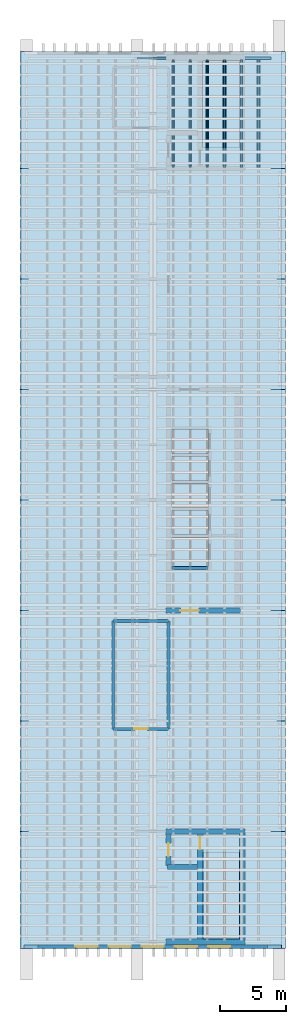
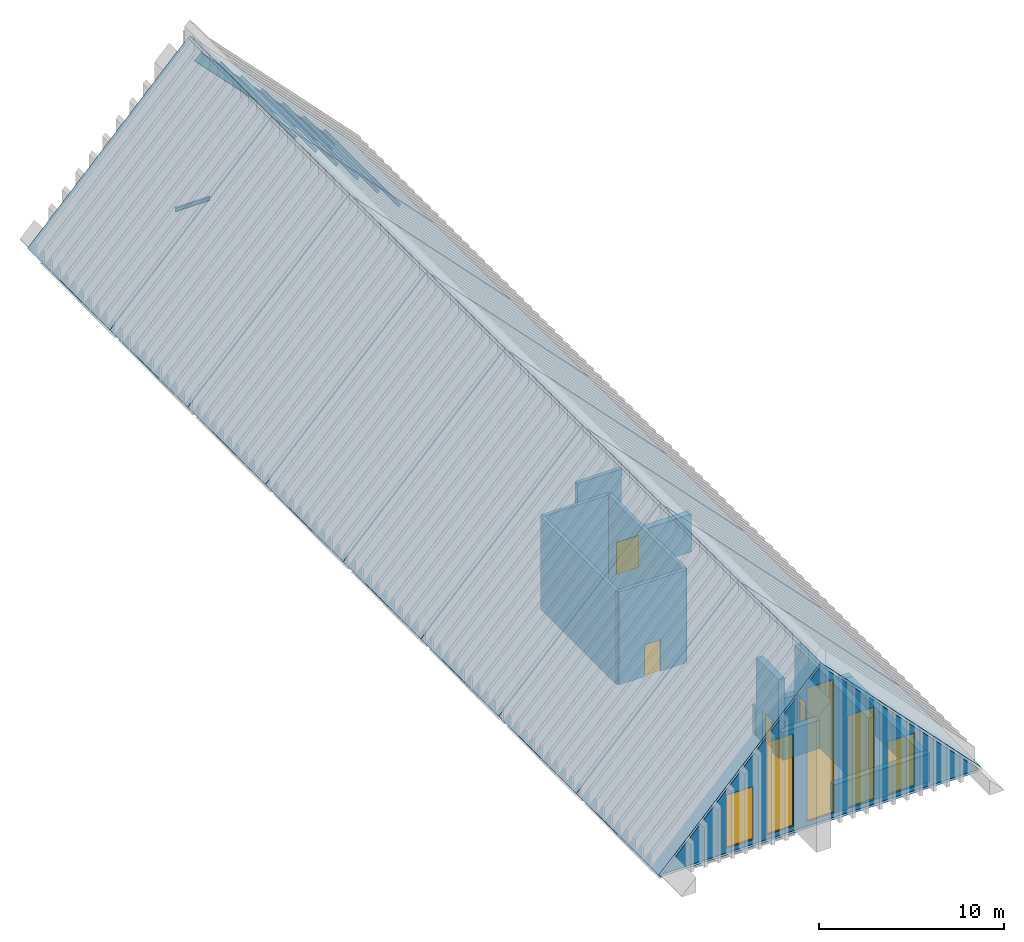
# One storey, part 3 of 6: 17 slabs, 13 walls, 7 members, 5 windows, 4 doors, 1 beam, 9 openings.
"""IFC4 building model written with IfcOpenShell, lengths in metres."""

from ifc_helpers import new_model, si_unit, direction, frame, frame_2d, origin, origin_2d, place, context, subcontext, project, spatial, polyline, rectangle, i_section, outline, extrude, material, layer, layer_set, material_profile, profile_set, type_object, element, fill, save


model = new_model("IFC4")

# Units and contexts
model_context = context("Model", 3, precision=1e-05, world=origin(), true_north=direction((0.0, 1.0)))
body_context = subcontext(model_context, "Body", "Model", "MODEL_VIEW")
ifc_project = project(units=[si_unit("LENGTHUNIT", "METRE"), si_unit("AREAUNIT", "SQUARE_METRE"), si_unit("VOLUMEUNIT", "CUBIC_METRE"), si_unit("PLANEANGLEUNIT", "RADIAN"), si_unit("MASSUNIT", "GRAM", prefix="KILO")], contexts=[model_context])

# Site, building, storey
site_placement = place(None, origin())
site = spatial("IfcSite", under=ifc_project, at=site_placement, CompositionType="ELEMENT")
building_placement = place(site_placement, origin())
building = spatial("IfcBuilding", under=site, at=building_placement, Name="Cresset Court Congress Hotel", CompositionType="ELEMENT")
storey_placement = place(building_placement, frame((0.0, 0.0, 64.800048828125)))
storey = spatial("IfcBuildingStorey", under=building, at=storey_placement, Name="L15", CompositionType="ELEMENT", Elevation=64.800048828125)

# Members
ifc_material_1 = material(Name="Structural steel Q355B", Category="steel")
ifc_material_profile_1 = material_profile(ifc_material_1, i_section(OverallWidth=0.10009765625, OverallDepth=0.199951171875, WebThickness=0.005615234375, FlangeThickness=0.008056640625, FilletRadius=0.012939453125, at=origin_2d()), Name="HN200x100x5.5x8")
ifc_profile_set_1 = profile_set([ifc_material_profile_1], Name="Structural steel Q355B")
member_type_1 = type_object("IfcMemberType", Name="Roof purlin HN200x100x5.5x8", PredefinedType="PURLIN", material=ifc_profile_set_1)
for number, where, z_axis, x_axis, name in (
    (1, (168.348388671875, 58.89990234375, 8.529541015625), (0.0, 1.0, 0.0), (-0.693245874601, 0.0, 0.720701156756), "A.pur.L15.E.0.7"),
    (2, (169.6455078125, 58.89990234375, 7.18115234375), (0.0, 1.0, 0.0), (-0.693245874601, 0.0, 0.720701156756), "A.pur.L15.E.1.7"),
    (3, (170.9423828125, 58.89990234375, 5.832763671875), (0.0, 1.0, 0.0), (-0.693245874601, 0.0, 0.720701156756), "A.pur.L15.E.2.7"),
    (4, (172.239501953125, 58.89990234375, 4.484375), (0.0, 1.0, 0.0), (-0.693245874601, 0.0, 0.720701156756), "A.pur.L15.E.3.7"),
    (5, (173.536376953125, 58.89990234375, 3.13623046875), (0.0, 1.0, 0.0), (-0.693245874601, 0.0, 0.720701156756), "A.pur.L15.E.4.7"),
    (6, (174.83349609375, 58.89990234375, 1.787841796875), (0.0, 1.0, 0.0), (-0.693245874601, 0.0, 0.720701156756), "A.pur.L15.E.5.7"),
):
    element("IfcMember", number, at=place(storey_placement, frame(where, z_axis=z_axis, x_axis=x_axis)), inside=storey, type_object=member_type_1, Name=name, PredefinedType="PURLIN", context=body_context, shape_type="SweptSolid", body=[
        extrude(i_section(OverallWidth=0.10009765625, OverallDepth=0.199951171875, WebThickness=0.005615234375, FlangeThickness=0.008056640625, FilletRadius=0.012939453125, at=origin_2d()), origin(), (0.0, 0.0, 1.0), 8.2001953125),
    ])
ifc_material_2 = material(Name="Structural steel Q355B", Category="steel")
ifc_material_profile_2 = material_profile(ifc_material_2, i_section(OverallWidth=0.199951171875, OverallDepth=0.60009765625, WebThickness=0.010986328125, FlangeThickness=0.01708984375, FilletRadius=0.012939453125, at=origin_2d()), Name="HN600x200x11x17")
ifc_profile_set_2 = profile_set([ifc_material_profile_2], Name="Structural steel Q355B")
member_type_2 = type_object("IfcMemberType", Name="Roof rafter HN600x200x11x17", PredefinedType="RAFTER", material=ifc_profile_set_2)
member_placement = place(storey_placement, frame((175.581787109375, 67.199951171875, 0.4326171875), z_axis=(-0.693240987451, 0.0, 0.720705857696), x_axis=(0.0, -1.0, 0.0)))
element("IfcMember", 7, at=member_placement, inside=storey, type_object=member_type_2, Name="Rafter E9", PredefinedType="RAFTER", context=body_context, shape_type="SweptSolid", body=[
    extrude(i_section(OverallWidth=0.199951171875, OverallDepth=0.60009765625, WebThickness=0.010986328125, FlangeThickness=0.01708984375, FilletRadius=0.012939453125, at=origin_2d()), origin(), (0.0, 0.0, 1.0), 12.35595703125),
])

# Beam
ifc_material_3 = material(Name="Structural steel Q355B", Category="steel")
ifc_material_profile_3 = material_profile(ifc_material_3, i_section(OverallWidth=0.125, OverallDepth=0.25, WebThickness=0.006103515625, FlangeThickness=0.009033203125, FilletRadius=0.012939453125, at=origin_2d()), Name="HN250x125x6x9")
ifc_profile_set_3 = profile_set([ifc_material_profile_3], Name="Structural steel Q355B")
beam_type = type_object("IfcBeamType", Name="Steel corridor beam HN250x125x6x9", PredefinedType="BEAM", material=ifc_profile_set_3)
beam_placement = place(storey_placement, frame((165.60498046875, 67.199951171875, -0.275146484375), z_axis=(1.0, 0.0, 0.0), x_axis=(0.0, 1.0, 0.0)))
element("IfcBeam", 8, at=beam_placement, inside=storey, type_object=beam_type, Name="A.bm.L15.C.frame1.7", PredefinedType="BEAM", context=body_context, shape_type="SweptSolid", body=[
    extrude(i_section(OverallWidth=0.125, OverallDepth=0.25, WebThickness=0.006103515625, FlangeThickness=0.009033203125, FilletRadius=0.012939453125, at=origin_2d()), origin(), (0.0, 0.0, 1.0), 2.195068359375),
])

# Slabs
ifc_material_4 = material(Name="Concrete C35", Category="concrete")
ifc_layer_1 = layer(ifc_material_4, 0.14990234375)
ifc_layer_set_1 = layer_set([ifc_layer_1], Name="Composite floor slab 150")
slab_type_1 = type_object("IfcSlabType", Name="Composite floor slab 150", PredefinedType="FLOOR", material=ifc_layer_set_1)
slab_1_placement = place(storey_placement, frame((0.0, 0.0, -0.150146484375)))
element("IfcSlab", 9, at=slab_1_placement, inside=storey, type_object=slab_type_1, Name="A.slab.L15", PredefinedType="FLOOR", context=body_context, shape_type="SweptSolid", body=[
    extrude(outline(polyline([(156.800048828125, -0.5), (176.60009765625, -0.5), (176.60009765625, 67.699951171875), (156.800048828125, 67.699951171875), (156.800048828125, -0.5)]), holes=[polyline([(170.60009765625, 0.199951171875), (173.39990234375, 0.199951171875), (173.39990234375, 6.79931640625), (170.60009765625, 6.79931640625), (170.60009765625, 0.199951171875)]), polyline([(170.60009765625, 60.40087890625), (173.39990234375, 60.40087890625), (173.39990234375, 67.0), (170.60009765625, 67.0), (170.60009765625, 60.40087890625)]), polyline([(168.25, 28.550048828125), (171.0, 28.550048828125), (171.0, 30.75), (168.25, 30.75), (168.25, 28.550048828125)]), polyline([(168.25, 31.0), (171.0, 31.0), (171.0, 32.800048828125), (168.25, 32.800048828125), (168.25, 31.0)]), polyline([(168.25, 33.050048828125), (171.0, 33.050048828125), (171.0, 34.85009765625), (168.25, 34.85009765625), (168.25, 33.050048828125)]), polyline([(168.25, 35.10009765625), (171.0, 35.10009765625), (171.0, 36.89990234375), (168.25, 36.89990234375), (168.25, 35.10009765625)]), polyline([(168.25, 37.14990234375), (171.0, 37.14990234375), (171.0, 38.949951171875), (168.25, 38.949951171875), (168.25, 37.14990234375)])]), origin(), (0.0, 0.0, 1.0), 0.150146484375),
])
ifc_material_5 = material(Name="Concrete C35", Category="concrete")
ifc_layer_2 = layer(ifc_material_5, 0.14990234375)
ifc_layer_set_2 = layer_set([ifc_layer_2], Name="Roof deck panel 150")
slab_type_2 = type_object("IfcSlabType", Name="Roof deck panel 150", PredefinedType="ROOF", material=ifc_layer_set_2)
slab_2_placement = place(storey_placement, frame((166.800048828125, -0.5, 10.5), z_axis=(-0.720697807818, 0.0, 0.693249356153), x_axis=(-0.693249356153, 0.0, -0.720697807818)))
element("IfcSlab", 10, at=slab_2_placement, inside=storey, type_object=slab_type_2, Name="A.roof.L15.W.0", PredefinedType="ROOF", context=body_context, shape_type="SweptSolid", body=[
    extrude(outline(polyline([(0.0, 0.0), (14.569213179365136, 0.0), (14.569213179365136, -8.89990234375), (0.0, -8.89990234375), (0.0, 0.0)])), origin(), (0.0, 0.0, -1.0), 0.14990234375),
])
slab_3_placement = place(storey_placement, frame((166.800048828125, 8.39990234375, 10.5), z_axis=(-0.720697807818, 0.0, 0.693249356153), x_axis=(-0.693249356153, 0.0, -0.720697807818)))
element("IfcSlab", 11, at=slab_3_placement, inside=storey, type_object=slab_type_2, Name="A.roof.L15.W.1", PredefinedType="ROOF", context=body_context, shape_type="SweptSolid", body=[
    extrude(outline(polyline([(0.0, 0.0), (14.569213179365136, 0.0), (14.569213179365136, -8.400146484375), (0.0, -8.400146484375), (0.0, 0.0)])), origin(), (0.0, 0.0, -1.0), 0.14990234375),
])
slab_4_placement = place(storey_placement, frame((166.800048828125, 16.800048828125, 10.5), z_axis=(-0.720697807818, 0.0, 0.693249356153), x_axis=(-0.693249356153, 0.0, -0.720697807818)))
element("IfcSlab", 12, at=slab_4_placement, inside=storey, type_object=slab_type_2, Name="A.roof.L15.W.2", PredefinedType="ROOF", context=body_context, shape_type="SweptSolid", body=[
    extrude(outline(polyline([(0.0, 0.0), (14.569213179365136, 0.0), (14.569213179365136, -8.39990234375), (0.0, -8.39990234375), (0.0, 0.0)])), origin(), (0.0, 0.0, -1.0), 0.14990234375),
])
slab_5_placement = place(storey_placement, frame((166.800048828125, 25.199951171875, 10.5), z_axis=(-0.720697807818, 0.0, 0.693249356153), x_axis=(-0.693249356153, 0.0, -0.720697807818)))
element("IfcSlab", 13, at=slab_5_placement, inside=storey, type_object=slab_type_2, Name="A.roof.L15.W.3", PredefinedType="ROOF", context=body_context, shape_type="SweptSolid", body=[
    extrude(outline(polyline([(0.0, 0.0), (14.569213179365136, 0.0), (14.569213179365136, -8.400146484375), (0.0, -8.400146484375), (0.0, 0.0)])), origin(), (0.0, 0.0, -1.0), 0.14990234375),
])
for number, where, z_axis, x_axis, name in (
    (14, (166.800048828125, 33.60009765625, 10.5), (-0.720697807818, 0.0, 0.693249356153), (-0.693249356153, 0.0, -0.720697807818), "A.roof.L15.W.4"),
    (15, (166.800048828125, 42.0, 10.5), (-0.720697807818, 0.0, 0.693249356153), (-0.693249356153, 0.0, -0.720697807818), "A.roof.L15.W.5"),
):
    element("IfcSlab", number, at=place(storey_placement, frame(where, z_axis=z_axis, x_axis=x_axis)), inside=storey, type_object=slab_type_2, Name=name, PredefinedType="ROOF", context=body_context, shape_type="SweptSolid", body=[
        extrude(outline(polyline([(0.0, 0.0), (14.569213179365136, 0.0), (14.569213179365136, -8.39990234375), (0.0, -8.39990234375), (0.0, 0.0)])), origin(), (0.0, 0.0, -1.0), 0.14990234375),
    ])
slab_6_placement = place(storey_placement, frame((166.800048828125, 50.39990234375, 10.5), z_axis=(-0.720697807818, 0.0, 0.693249356153), x_axis=(-0.693249356153, 0.0, -0.720697807818)))
element("IfcSlab", 16, at=slab_6_placement, inside=storey, type_object=slab_type_2, Name="A.roof.L15.W.6", PredefinedType="ROOF", context=body_context, shape_type="SweptSolid", body=[
    extrude(outline(polyline([(0.0, 0.0), (14.569213179365136, 0.0), (14.569213179365136, -8.400146484375), (0.0, -8.400146484375), (0.0, 0.0)])), origin(), (0.0, 0.0, -1.0), 0.14990234375),
])
slab_7_placement = place(storey_placement, frame((166.800048828125, 58.800048828125, 10.5), z_axis=(-0.720697807818, 0.0, 0.693249356153), x_axis=(-0.693249356153, 0.0, -0.720697807818)))
element("IfcSlab", 17, at=slab_7_placement, inside=storey, type_object=slab_type_2, Name="A.roof.L15.W.7", PredefinedType="ROOF", context=body_context, shape_type="SweptSolid", body=[
    extrude(outline(polyline([(0.0, 0.0), (14.569213179365136, 0.0), (14.569213179365136, -8.89990234375), (0.0, -8.89990234375), (0.0, 0.0)])), origin(), (0.0, 0.0, -1.0), 0.14990234375),
])
slab_8_placement = place(storey_placement, frame((166.800048828125, -0.5, 10.5), z_axis=(0.720706180198, 0.0, 0.693240652172), x_axis=(0.693240652172, 0.0, -0.720706180198)))
element("IfcSlab", 18, at=slab_8_placement, inside=storey, type_object=slab_type_2, Name="A.roof.L15.E.0", PredefinedType="ROOF", context=body_context, shape_type="SweptSolid", body=[
    extrude(outline(polyline([(0.0, 0.0), (14.569043930096534, 0.0), (14.569043930096534, 8.899902343750002), (0.0, 8.899902343750002), (0.0, 0.0)])), origin(), (0.0, 0.0, -1.0), 0.14990234375),
])
slab_9_placement = place(storey_placement, frame((166.800048828125, 8.39990234375, 10.5), z_axis=(0.720706180198, 0.0, 0.693240652172), x_axis=(0.693240652172, 0.0, -0.720706180198)))
element("IfcSlab", 19, at=slab_9_placement, inside=storey, type_object=slab_type_2, Name="A.roof.L15.E.1", PredefinedType="ROOF", context=body_context, shape_type="SweptSolid", body=[
    extrude(outline(polyline([(0.0, 0.0), (14.569043930096534, 0.0), (14.569043930096534, 8.400146484375), (0.0, 8.400146484375), (0.0, 0.0)])), origin(), (0.0, 0.0, -1.0), 0.14990234375),
])
slab_10_placement = place(storey_placement, frame((166.800048828125, 16.800048828125, 10.5), z_axis=(0.720706180198, 0.0, 0.693240652172), x_axis=(0.693240652172, 0.0, -0.720706180198)))
element("IfcSlab", 20, at=slab_10_placement, inside=storey, type_object=slab_type_2, Name="A.roof.L15.E.2", PredefinedType="ROOF", context=body_context, shape_type="SweptSolid", body=[
    extrude(outline(polyline([(0.0, 0.0), (14.569043930096534, 0.0), (14.569043930096534, 8.39990234375), (0.0, 8.39990234375), (0.0, 0.0)])), origin(), (0.0, 0.0, -1.0), 0.14990234375),
])
slab_11_placement = place(storey_placement, frame((166.800048828125, 25.199951171875, 10.5), z_axis=(0.720706180198, 0.0, 0.693240652172), x_axis=(0.693240652172, 0.0, -0.720706180198)))
element("IfcSlab", 21, at=slab_11_placement, inside=storey, type_object=slab_type_2, Name="A.roof.L15.E.3", PredefinedType="ROOF", context=body_context, shape_type="SweptSolid", body=[
    extrude(outline(polyline([(0.0, 0.0), (14.569043930096534, 0.0), (14.569043930096534, 8.400146484375), (0.0, 8.400146484375), (0.0, 0.0)])), origin(), (0.0, 0.0, -1.0), 0.14990234375),
])
for number, where, z_axis, x_axis, name in (
    (22, (166.800048828125, 33.60009765625, 10.5), (0.720706180198, 0.0, 0.693240652172), (0.693240652172, 0.0, -0.720706180198), "A.roof.L15.E.4"),
    (23, (166.800048828125, 42.0, 10.5), (0.720706180198, 0.0, 0.693240652172), (0.693240652172, 0.0, -0.720706180198), "A.roof.L15.E.5"),
):
    element("IfcSlab", number, at=place(storey_placement, frame(where, z_axis=z_axis, x_axis=x_axis)), inside=storey, type_object=slab_type_2, Name=name, PredefinedType="ROOF", context=body_context, shape_type="SweptSolid", body=[
        extrude(outline(polyline([(0.0, 0.0), (14.569043930096534, 0.0), (14.569043930096534, 8.39990234375), (0.0, 8.39990234375), (0.0, 0.0)])), origin(), (0.0, 0.0, -1.0), 0.14990234375),
    ])
slab_12_placement = place(storey_placement, frame((166.800048828125, 50.39990234375, 10.5), z_axis=(0.720706180198, 0.0, 0.693240652172), x_axis=(0.693240652172, 0.0, -0.720706180198)))
element("IfcSlab", 24, at=slab_12_placement, inside=storey, type_object=slab_type_2, Name="A.roof.L15.E.6", PredefinedType="ROOF", context=body_context, shape_type="SweptSolid", body=[
    extrude(outline(polyline([(0.0, 0.0), (14.569043930096534, 0.0), (14.569043930096534, 8.400146484375), (0.0, 8.400146484375), (0.0, 0.0)])), origin(), (0.0, 0.0, -1.0), 0.14990234375),
])
slab_13_placement = place(storey_placement, frame((166.800048828125, 58.800048828125, 10.5), z_axis=(0.720706180198, 0.0, 0.693240652172), x_axis=(0.693240652172, 0.0, -0.720706180198)))
element("IfcSlab", 25, at=slab_13_placement, inside=storey, type_object=slab_type_2, Name="A.roof.L15.E.7", PredefinedType="ROOF", context=body_context, shape_type="SweptSolid", body=[
    extrude(outline(polyline([(0.0, 0.0), (14.569043930096534, 0.0), (14.569043930096534, 8.899902343750002), (0.0, 8.899902343750002), (0.0, 0.0)])), origin(), (0.0, 0.0, -1.0), 0.14990234375),
])

# Wall, opening, door
ifc_material_6 = material(Name="Gypsum board partition")
ifc_layer_3 = layer(ifc_material_6, 0.22509765625)
ifc_layer_set_3 = layer_set([ifc_layer_3], Name="Boardroom acoustic wall 225")
wall_type_1 = type_object("IfcWallType", Name="Boardroom acoustic wall 225", PredefinedType="PARTITIONING", material=ifc_layer_set_3)
wall_1_placement = place(storey_placement, frame((163.800048828125, 16.199951171875, 0.0), z_axis=(0.0, 0.0, 1.0), x_axis=(1.0, 0.0, 0.0)))
wall_1 = element("IfcWall", 26, at=wall_1_placement, inside=storey, type_object=wall_type_1, Name="A.wl.L15.001", PredefinedType="PARTITIONING", context=body_context, shape_type="SweptSolid", body=[
    extrude(rectangle(XDim=4.199951171875, YDim=0.22509765625, at=frame_2d((2.10009765625, 0.0))), origin(), (0.0, 0.0, 1.0), 6.139892578125),
])
opening_1_placement = place(wall_1_placement, frame((1.60009765625, 0.0, 0.0)))
opening_1 = element("IfcOpeningElement", 27, at=opening_1_placement, cuts=wall_1, Name="Opening DA-15-01", PredefinedType="OPENING", context=body_context, shape_type="SweptSolid", body=[
    extrude(rectangle(XDim=1.0, YDim=2.10009765625, at=frame_2d((0.5, 1.050048828125))), frame((0.0, 0.12255859375, 0.0), z_axis=(0.0, -1.0, 0.0), x_axis=(1.0, 0.0, 0.0)), (0.0, 0.0, 1.0), 0.2451171875),
])
ifc_material_7 = material(Name="timber", Category="wood")
door_type_1 = type_object("IfcDoorType", Name="Interior door 1000x2100", OperationType="SINGLE_SWING_LEFT", PredefinedType="DOOR", material=ifc_material_7)
door_1_placement = place(opening_1_placement, origin())
door_1 = element("IfcDoor", 28, at=door_1_placement, inside=storey, type_object=door_type_1, Name="Door DA-15-01", OperationType="SINGLE_SWING_LEFT", OverallHeight=2.10009765625, OverallWidth=1.0, PredefinedType="DOOR", context=body_context, shape_type="SweptSolid", body=[
    extrude(rectangle(XDim=1.0, YDim=2.10009765625, at=frame_2d((0.5, 1.050048828125))), frame((0.0, 0.02490234375, 0.0), z_axis=(0.0, -1.0, 0.0), x_axis=(1.0, 0.0, 0.0)), (0.0, 0.0, 1.0), 0.050048828125),
])
fill(opening_1, door_1)

# Walls
wall_2_placement = place(storey_placement, frame((163.800048828125, 16.199951171875, 0.0), z_axis=(0.0, 0.0, 1.0), x_axis=(0.0, 1.0, 0.0)))
element("IfcWall", 29, at=wall_2_placement, inside=storey, type_object=wall_type_1, Name="A.wl.L15.002", PredefinedType="PARTITIONING", context=body_context, shape_type="SweptSolid", body=[
    extrude(rectangle(XDim=8.199951171875, YDim=0.22509765625, at=frame_2d((4.10009765625, 0.0))), origin(), (0.0, 0.0, 1.0), 6.139892578125),
])
wall_3_placement = place(storey_placement, frame((163.800048828125, 24.39990234375, 0.0), z_axis=(0.0, 0.0, 1.0), x_axis=(1.0, 0.0, 0.0)))
element("IfcWall", 30, at=wall_3_placement, inside=storey, type_object=wall_type_1, Name="A.wl.L15.003", PredefinedType="PARTITIONING", context=body_context, shape_type="SweptSolid", body=[
    extrude(rectangle(XDim=4.199951171875, YDim=0.22509765625, at=frame_2d((2.10009765625, 0.0))), origin(), (0.0, 0.0, 1.0), 6.139892578125),
])
wall_4_placement = place(storey_placement, frame((168.0, 16.199951171875, 0.0), z_axis=(0.0, 0.0, 1.0), x_axis=(0.0, 1.0, 0.0)))
element("IfcWall", 31, at=wall_4_placement, inside=storey, type_object=wall_type_1, Name="A.wl.L15.004", PredefinedType="PARTITIONING", context=body_context, shape_type="SweptSolid", body=[
    extrude(rectangle(XDim=8.199951171875, YDim=0.22509765625, at=frame_2d((4.10009765625, 0.0))), origin(), (0.0, 0.0, 1.0), 6.139892578125),
])

# Wall, openings, windows
ifc_material_8 = material(Name="Precast concrete C50", Category="concrete")
ifc_layer_4 = layer(ifc_material_8, 0.280029296875)
ifc_layer_set_4 = layer_set([ifc_layer_4], Name="Gable end wall 280")
wall_type_2 = type_object("IfcWallType", Name="Gable end wall 280", PredefinedType="SOLIDWALL", material=ifc_layer_set_4)
wall_5_placement = place(storey_placement, frame((157.0, -0.360107421875, 0.0), z_axis=(0.0, 0.0, 1.0), x_axis=(1.0, 0.0, 0.0)))
wall_5 = element("IfcWall", 32, at=wall_5_placement, inside=storey, type_object=wall_type_2, Name="A.ew.L15.S.1", PredefinedType="SOLIDWALL", context=body_context, shape_type="SweptSolid", body=[
    extrude(outline(polyline([(0.0, 0.0), (19.60009765625, 0.0), (19.60009765625, 0.091796875), (17.966796875, 1.789794921875), (16.333251953125, 3.48779296875), (14.699951171875, 5.185791015625), (13.066650390625, 6.884033203125), (11.433349609375, 8.58203125), (9.800048828125, 10.280029296875), (8.166748046875, 8.58203125), (6.533203125, 6.884033203125), (4.89990234375, 5.185791015625), (3.2666015625, 3.48779296875), (1.63330078125, 1.789794921875), (0.0, 0.091796875), (0.0, 0.0)])), frame((0.0, 0.14013671875, 0.0), z_axis=(0.0, -1.0, 0.0), x_axis=(1.0, 0.0, 0.0)), (0.0, 0.0, 1.0), 0.280029296875),
])
opening_2_placement = place(wall_5_placement, frame((3.919921875, 0.0, 0.300048828125)))
opening_2 = element("IfcOpeningElement", 33, at=opening_2_placement, cuts=wall_5, Name="Opening NA-15-01", PredefinedType="OPENING", context=body_context, shape_type="SweptSolid", body=[
    extrude(rectangle(XDim=1.679931640625, YDim=3.5, at=frame_2d((0.83984375, 1.75))), frame((0.0, 0.14990234375, 0.0), z_axis=(0.0, -1.0, 0.0), x_axis=(1.0, 0.0, 0.0)), (0.0, 0.0, 1.0), 0.300048828125),
])
opening_3_placement = place(wall_5_placement, frame((6.43994140625, 0.0, 0.300048828125)))
opening_3 = element("IfcOpeningElement", 34, at=opening_3_placement, cuts=wall_5, Name="Opening NA-15-02", PredefinedType="OPENING", context=body_context, shape_type="SweptSolid", body=[
    extrude(rectangle(XDim=1.679931640625, YDim=6.10009765625, at=frame_2d((0.83984375, 3.050048828125))), frame((0.0, 0.14990234375, 0.0), z_axis=(0.0, -1.0, 0.0), x_axis=(1.0, 0.0, 0.0)), (0.0, 0.0, 1.0), 0.300048828125),
])
opening_4_placement = place(wall_5_placement, frame((8.9599609375, 0.0, 0.300048828125)))
opening_4 = element("IfcOpeningElement", 35, at=opening_4_placement, cuts=wall_5, Name="Opening NA-15-03", PredefinedType="OPENING", context=body_context, shape_type="SweptSolid", body=[
    extrude(rectangle(XDim=1.679931640625, YDim=8.800048828125, at=frame_2d((0.83984375, 4.39990234375))), frame((0.0, 0.14990234375, 0.0), z_axis=(0.0, -1.0, 0.0), x_axis=(1.0, 0.0, 0.0)), (0.0, 0.0, 1.0), 0.300048828125),
])
opening_5_placement = place(wall_5_placement, frame((11.47998046875, 0.0, 0.300048828125)))
opening_5 = element("IfcOpeningElement", 36, at=opening_5_placement, cuts=wall_5, Name="Opening NA-15-04", PredefinedType="OPENING", context=body_context, shape_type="SweptSolid", body=[
    extrude(rectangle(XDim=1.679931640625, YDim=6.10009765625, at=frame_2d((0.83984375, 3.050048828125))), frame((0.0, 0.14990234375, 0.0), z_axis=(0.0, -1.0, 0.0), x_axis=(1.0, 0.0, 0.0)), (0.0, 0.0, 1.0), 0.300048828125),
])
opening_6_placement = place(wall_5_placement, frame((14.0, 0.0, 0.300048828125)))
opening_6 = element("IfcOpeningElement", 37, at=opening_6_placement, cuts=wall_5, Name="Opening NA-15-05", PredefinedType="OPENING", context=body_context, shape_type="SweptSolid", body=[
    extrude(rectangle(XDim=1.679931640625, YDim=3.5, at=frame_2d((0.83984375, 1.75))), frame((0.0, 0.14990234375, 0.0), z_axis=(0.0, -1.0, 0.0), x_axis=(1.0, 0.0, 0.0)), (0.0, 0.0, 1.0), 0.300048828125),
])
ifc_material_9 = material(Name="Aluminium and glass", Category="aluminium")
window_type_1 = type_object("IfcWindowType", Name="Window 1680x3500", PartitioningType="SINGLE_PANEL", PredefinedType="WINDOW", material=ifc_material_9)
window_1_placement = place(opening_2_placement, origin())
window_1 = element("IfcWindow", 38, at=window_1_placement, inside=storey, type_object=window_type_1, Name="Window NA-15-01", OverallHeight=3.5, OverallWidth=1.679931640625, PartitioningType="SINGLE_PANEL", PredefinedType="WINDOW", context=body_context, shape_type="SweptSolid", body=[
    extrude(rectangle(XDim=1.679931640625, YDim=3.5, at=frame_2d((0.83984375, 1.75))), frame((0.0, 0.030029296875, 0.0), z_axis=(0.0, -1.0, 0.0), x_axis=(1.0, 0.0, 0.0)), (0.0, 0.0, 1.0), 0.06005859375),
])
fill(opening_2, window_1)
window_2_placement = place(opening_6_placement, origin())
window_2 = element("IfcWindow", 39, at=window_2_placement, inside=storey, type_object=window_type_1, Name="Window NA-15-05", OverallHeight=3.5, OverallWidth=1.679931640625, PartitioningType="SINGLE_PANEL", PredefinedType="WINDOW", context=body_context, shape_type="SweptSolid", body=[
    extrude(rectangle(XDim=1.679931640625, YDim=3.5, at=frame_2d((0.83984375, 1.75))), frame((0.0, 0.030029296875, 0.0), z_axis=(0.0, -1.0, 0.0), x_axis=(1.0, 0.0, 0.0)), (0.0, 0.0, 1.0), 0.06005859375),
])
fill(opening_6, window_2)
ifc_material_10 = material(Name="Aluminium and glass", Category="aluminium")
window_type_2 = type_object("IfcWindowType", Name="Window 1680x6100", PartitioningType="SINGLE_PANEL", PredefinedType="WINDOW", material=ifc_material_10)
window_3_placement = place(opening_3_placement, origin())
window_3 = element("IfcWindow", 40, at=window_3_placement, inside=storey, type_object=window_type_2, Name="Window NA-15-02", OverallHeight=6.10009765625, OverallWidth=1.679931640625, PartitioningType="SINGLE_PANEL", PredefinedType="WINDOW", context=body_context, shape_type="SweptSolid", body=[
    extrude(rectangle(XDim=1.679931640625, YDim=6.10009765625, at=frame_2d((0.83984375, 3.050048828125))), frame((0.0, 0.030029296875, 0.0), z_axis=(0.0, -1.0, 0.0), x_axis=(1.0, 0.0, 0.0)), (0.0, 0.0, 1.0), 0.06005859375),
])
fill(opening_3, window_3)
window_4_placement = place(opening_5_placement, origin())
window_4 = element("IfcWindow", 41, at=window_4_placement, inside=storey, type_object=window_type_2, Name="Window NA-15-04", OverallHeight=6.10009765625, OverallWidth=1.679931640625, PartitioningType="SINGLE_PANEL", PredefinedType="WINDOW", context=body_context, shape_type="SweptSolid", body=[
    extrude(rectangle(XDim=1.679931640625, YDim=6.10009765625, at=frame_2d((0.83984375, 3.050048828125))), frame((0.0, 0.030029296875, 0.0), z_axis=(0.0, -1.0, 0.0), x_axis=(1.0, 0.0, 0.0)), (0.0, 0.0, 1.0), 0.06005859375),
])
fill(opening_5, window_4)
ifc_material_11 = material(Name="Aluminium and glass", Category="aluminium")
window_type_3 = type_object("IfcWindowType", Name="Window 1680x8800", PartitioningType="SINGLE_PANEL", PredefinedType="WINDOW", material=ifc_material_11)
window_5_placement = place(opening_4_placement, origin())
window_5 = element("IfcWindow", 42, at=window_5_placement, inside=storey, type_object=window_type_3, Name="Window NA-15-03", OverallHeight=8.800048828125, OverallWidth=1.679931640625, PartitioningType="SINGLE_PANEL", PredefinedType="WINDOW", context=body_context, shape_type="SweptSolid", body=[
    extrude(rectangle(XDim=1.679931640625, YDim=8.800048828125, at=frame_2d((0.83984375, 4.39990234375))), frame((0.0, 0.030029296875, 0.0), z_axis=(0.0, -1.0, 0.0), x_axis=(1.0, 0.0, 0.0)), (0.0, 0.0, 1.0), 0.06005859375),
])
fill(opening_4, window_5)

# Wall, opening, door
ifc_material_12 = material(Name="Concrete C50", Category="concrete")
ifc_layer_5 = layer(ifc_material_12, 0.39990234375)
ifc_layer_set_5 = layer_set([ifc_layer_5], Name="Lift core wall 400")
wall_type_3 = type_object("IfcWallType", Name="Lift core wall 400", PredefinedType="SOLIDWALL", material=ifc_layer_set_5)
wall_6_placement = place(storey_placement, frame((167.800048828125, 25.199951171875, 0.0), z_axis=(0.0, 0.0, 1.0), x_axis=(1.0, 0.0, 0.0)))
wall_6 = element("IfcWall", 43, at=wall_6_placement, inside=storey, type_object=wall_type_3, Name="A.wl.L15.012", PredefinedType="SOLIDWALL", context=body_context, shape_type="SweptSolid", body=[
    extrude(rectangle(XDim=5.64990234375, YDim=0.39990234375, at=frame_2d((2.824951171875, 0.0))), origin(), (0.0, 0.0, 1.0), 2.4970703125),
])
opening_7_placement = place(wall_6_placement, frame((1.10009765625, 0.0, 0.0)))
opening_7 = element("IfcOpeningElement", 44, at=opening_7_placement, cuts=wall_6, Name="Opening DA-15-09", PredefinedType="OPENING", context=body_context, shape_type="SweptSolid", body=[
    extrude(rectangle(XDim=1.39990234375, YDim=2.10009765625, at=frame_2d((0.699951171875, 1.050048828125))), frame((0.0, 0.2099609375, 0.0), z_axis=(0.0, -1.0, 0.0), x_axis=(1.0, 0.0, 0.0)), (0.0, 0.0, 1.0), 0.419921875),
])
ifc_material_13 = material(Name="steel", Category="steel")
door_type_2 = type_object("IfcDoorType", Name="Lobby door 1400x2100 FD60", OperationType="DOUBLE_DOOR_DOUBLE_SWING", PredefinedType="DOOR", material=ifc_material_13)
door_2_placement = place(opening_7_placement, origin())
door_2 = element("IfcDoor", 45, at=door_2_placement, inside=storey, type_object=door_type_2, Name="Door DA-15-09", OperationType="DOUBLE_DOOR_DOUBLE_SWING", OverallHeight=2.10009765625, OverallWidth=1.39990234375, PredefinedType="DOOR", context=body_context, shape_type="SweptSolid", body=[
    extrude(rectangle(XDim=1.39990234375, YDim=2.10009765625, at=frame_2d((0.699951171875, 1.050048828125))), frame((0.0, 0.02490234375, 0.0), z_axis=(0.0, -1.0, 0.0), x_axis=(1.0, 0.0, 0.0)), (0.0, 0.0, 1.0), 0.050048828125),
])
fill(opening_7, door_2)

# Wall
ifc_material_14 = material(Name="Concrete C50", Category="concrete")
ifc_layer_6 = layer(ifc_material_14, 0.25)
ifc_layer_set_6 = layer_set([ifc_layer_6], Name="Lift shaft wall 250")
wall_type_4 = type_object("IfcWallType", Name="Lift shaft wall 250", PredefinedType="SOLIDWALL", material=ifc_layer_set_6)
wall_7_placement = place(storey_placement, frame((168.25, 28.425048828125, 0.0), z_axis=(0.0, 0.0, 1.0), x_axis=(1.0, 0.0, 0.0)))
element("IfcWall", 46, at=wall_7_placement, inside=storey, type_object=wall_type_4, Name="A.wl.L15.018", PredefinedType="SOLIDWALL", context=body_context, shape_type="SweptSolid", body=[
    extrude(rectangle(XDim=2.75, YDim=0.25, at=frame_2d((1.375, 0.0))), origin(), (0.0, 0.0, 1.0), 4.323974609375),
])

# Wall, opening, door
ifc_material_15 = material(Name="Concrete C50", Category="concrete")
ifc_layer_7 = layer(ifc_material_15, 0.39990234375)
ifc_layer_set_7 = layer_set([ifc_layer_7], Name="Stair core wall 400")
wall_type_5 = type_object("IfcWallType", Name="Stair core wall 400", PredefinedType="SOLIDWALL", material=ifc_layer_set_7)
wall_8_placement = place(storey_placement, frame((170.39990234375, 0.199951171875, 0.0), z_axis=(0.0, 0.0, 1.0), x_axis=(0.0, 1.0, 0.0)))
wall_8 = element("IfcWall", 47, at=wall_8_placement, inside=storey, type_object=wall_type_5, Name="A.wl.L15.024", PredefinedType="SOLIDWALL", context=body_context, shape_type="SweptSolid", body=[
    extrude(rectangle(XDim=8.0, YDim=0.39990234375, at=frame_2d((4.0, 0.0))), origin(), (0.0, 0.0, 1.0), 5.199951171875),
])
opening_8_placement = place(wall_8_placement, frame((6.85009765625, 0.0, 0.0)))
opening_8 = element("IfcOpeningElement", 48, at=opening_8_placement, cuts=wall_8, Name="Opening DA-15-11", PredefinedType="OPENING", context=body_context, shape_type="SweptSolid", body=[
    extrude(rectangle(XDim=0.89990234375, YDim=2.10009765625, at=frame_2d((0.449951171875, 1.050048828125))), frame((0.0, 0.2099609375, 0.0), z_axis=(0.0, -1.0, 0.0), x_axis=(1.0, 0.0, 0.0)), (0.0, 0.0, 1.0), 0.419921875),
])
ifc_material_16 = material(Name="steel", Category="steel")
door_type_3 = type_object("IfcDoorType", Name="Stair door 900x2100 FD60", OperationType="SINGLE_SWING_LEFT", PredefinedType="DOOR", material=ifc_material_16)
door_3_placement = place(opening_8_placement, origin())
door_3 = element("IfcDoor", 49, at=door_3_placement, inside=storey, type_object=door_type_3, Name="Door DA-15-11", OperationType="SINGLE_SWING_LEFT", OverallHeight=2.10009765625, OverallWidth=0.89990234375, PredefinedType="DOOR", context=body_context, shape_type="SweptSolid", body=[
    extrude(rectangle(XDim=0.89990234375, YDim=2.10009765625, at=frame_2d((0.449951171875, 1.050048828125))), frame((0.0, 0.02490234375, 0.0), z_axis=(0.0, -1.0, 0.0), x_axis=(1.0, 0.0, 0.0)), (0.0, 0.0, 1.0), 0.050048828125),
])
fill(opening_8, door_3)

# Walls
wall_9_placement = place(storey_placement, frame((173.60009765625, 0.199951171875, 0.0), z_axis=(0.0, 0.0, 1.0), x_axis=(0.0, 1.0, 0.0)))
element("IfcWall", 50, at=wall_9_placement, inside=storey, type_object=wall_type_5, Name="A.wl.L15.025", PredefinedType="SOLIDWALL", context=body_context, shape_type="SweptSolid", body=[
    extrude(rectangle(XDim=8.0, YDim=0.39990234375, at=frame_2d((4.0, 0.0))), origin(), (0.0, 0.0, 1.0), 1.873046875),
])
for number, where, z_axis, x_axis, name in (
    (51, (167.800048828125, 0.0, 0.0), (0.0, 0.0, 1.0), (1.0, 0.0, 0.0), "A.wl.L15.026"),
    (52, (167.800048828125, 8.39990234375, 0.0), (0.0, 0.0, 1.0), (1.0, 0.0, 0.0), "A.wl.L15.027"),
):
    element("IfcWall", number, at=place(storey_placement, frame(where, z_axis=z_axis, x_axis=x_axis)), inside=storey, type_object=wall_type_5, Name=name, PredefinedType="SOLIDWALL", context=body_context, shape_type="SweptSolid", body=[
        extrude(rectangle(XDim=6.0, YDim=0.39990234375, at=frame_2d((3.0, 0.0))), origin(), (0.0, 0.0, 1.0), 1.873046875),
    ])

# Wall, opening, door
wall_10_placement = place(storey_placement, frame((168.0, 5.800048828125, 0.0), z_axis=(0.0, 0.0, 1.0), x_axis=(0.0, 1.0, 0.0)))
wall_10 = element("IfcWall", 53, at=wall_10_placement, inside=storey, type_object=wall_type_5, Name="A.wl.L15.028", PredefinedType="SOLIDWALL", context=body_context, shape_type="SweptSolid", body=[
    extrude(rectangle(XDim=2.39990234375, YDim=0.39990234375, at=frame_2d((1.199951171875, 0.0))), origin(), (0.0, 0.0, 1.0), 5.199951171875),
])
opening_9_placement = place(wall_10_placement, frame((0.699951171875, 0.0, 0.0)))
opening_9 = element("IfcOpeningElement", 54, at=opening_9_placement, cuts=wall_10, Name="Opening DA-15-12", PredefinedType="OPENING", context=body_context, shape_type="SweptSolid", body=[
    extrude(rectangle(XDim=1.0, YDim=2.10009765625, at=frame_2d((0.5, 1.050048828125))), frame((0.0, 0.2099609375, 0.0), z_axis=(0.0, -1.0, 0.0), x_axis=(1.0, 0.0, 0.0)), (0.0, 0.0, 1.0), 0.419921875),
])
ifc_material_17 = material(Name="steel", Category="steel")
door_type_4 = type_object("IfcDoorType", Name="Lobby door 1000x2100 FD60", OperationType="SINGLE_SWING_LEFT", PredefinedType="DOOR", material=ifc_material_17)
door_4_placement = place(opening_9_placement, origin())
door_4 = element("IfcDoor", 55, at=door_4_placement, inside=storey, type_object=door_type_4, Name="Door DA-15-12", OperationType="SINGLE_SWING_RIGHT", OverallHeight=2.10009765625, OverallWidth=1.0, PredefinedType="DOOR", context=body_context, shape_type="SweptSolid", body=[
    extrude(rectangle(XDim=1.0, YDim=2.10009765625, at=frame_2d((0.5, 1.050048828125))), frame((0.0, 0.02490234375, 0.0), z_axis=(0.0, -1.0, 0.0), x_axis=(1.0, 0.0, 0.0)), (0.0, 0.0, 1.0), 0.050048828125),
])
fill(opening_9, door_4)

# Wall
wall_11_placement = place(storey_placement, frame((167.89990234375, 5.699951171875, 0.0), z_axis=(0.0, 0.0, 1.0), x_axis=(1.0, 0.0, 0.0)))
element("IfcWall", 56, at=wall_11_placement, inside=storey, type_object=wall_type_5, Name="A.wl.L15.029", PredefinedType="SOLIDWALL", context=body_context, shape_type="SweptSolid", body=[
    extrude(rectangle(XDim=2.300048828125, YDim=0.39990234375, at=frame_2d((1.14990234375, 0.0))), origin(), (0.0, 0.0, 1.0), 1.873046875),
])

save(model, "model.ifc")
